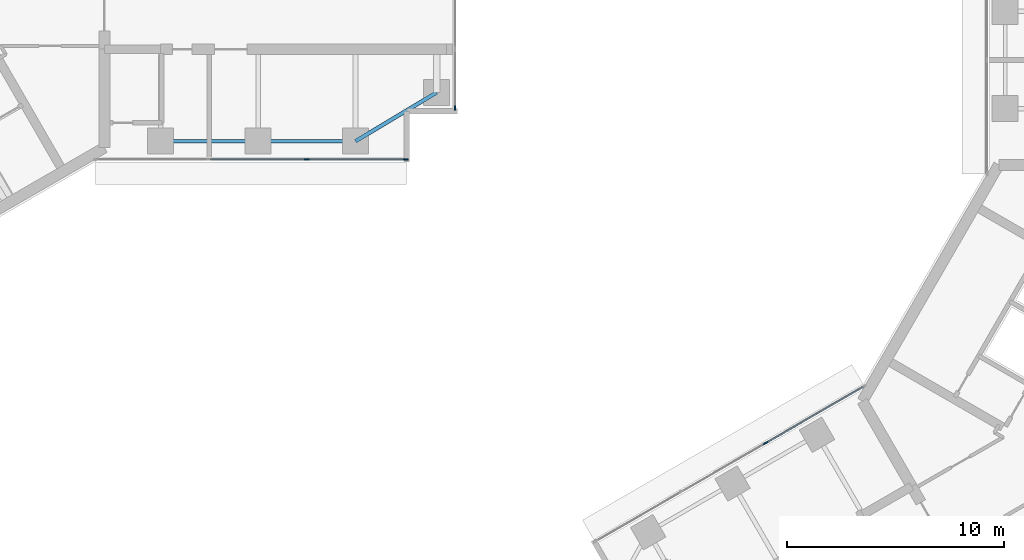
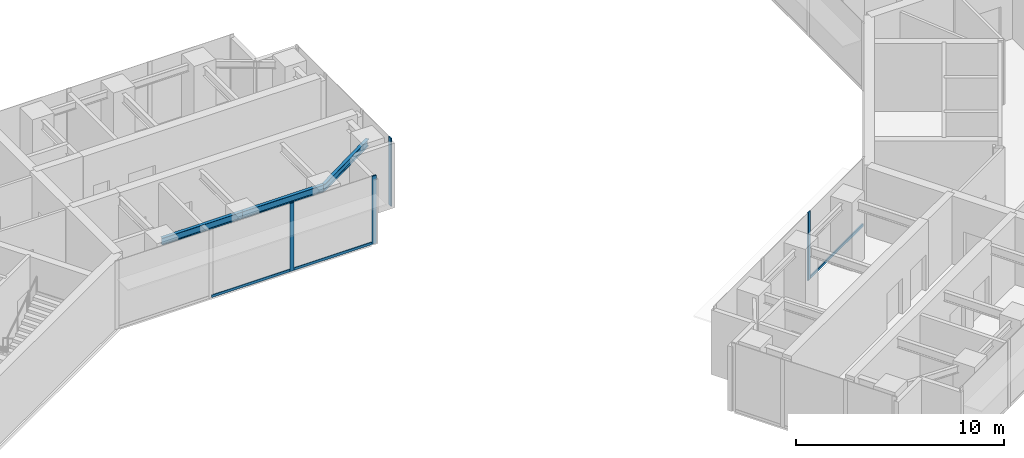
# One storey, part 4 of 17: 7 members, 3 beams, 3 elements without a shape of their own.
"""IFC4 building model written with IfcOpenShell, lengths in metres."""

from ifc_helpers import new_model, si_unit, direction, frame, origin, origin_2d, place, context, subcontext, project, spatial, rectangle, i_section, extrude, material, material_profile, profile_set, type_object, element, aggregate, save


model = new_model("IFC4")

# Units and contexts
model_context = context("Model", 3, precision=1e-05, world=origin(), true_north=direction((0.0, 1.0)))
body_context = subcontext(model_context, "Body", "Model", "MODEL_VIEW")
ifc_project = project(units=[si_unit("LENGTHUNIT", "METRE"), si_unit("AREAUNIT", "SQUARE_METRE"), si_unit("VOLUMEUNIT", "CUBIC_METRE"), si_unit("PLANEANGLEUNIT", "RADIAN"), si_unit("MASSUNIT", "GRAM", prefix="KILO")], contexts=[model_context])

# Site, building, storey
site_placement = place(None, origin())
site = spatial("IfcSite", under=ifc_project, at=site_placement, CompositionType="ELEMENT")
building_placement = place(site_placement, origin())
building = spatial("IfcBuilding", under=site, at=building_placement, Name="Upepo Twin Towers", CompositionType="ELEMENT")
storey_placement = place(building_placement, frame((0.0, 0.0, 182.5)))
storey = spatial("IfcBuildingStorey", under=building, at=storey_placement, Name="L44", CompositionType="ELEMENT", Elevation=182.5)

# Beams
ifc_material_1 = material(Name="Steel S355", Category="steel")
ifc_material_profile_1 = material_profile(ifc_material_1, i_section(OverallWidth=0.177978515625, OverallDepth=0.406494140625, WebThickness=0.0078125, FlangeThickness=0.0126953125, FilletRadius=0.01025390625, at=origin_2d()), Name="UB 406x178x60")
ifc_profile_set_1 = profile_set([ifc_material_profile_1], Name="Steel S355")
beam_type = type_object("IfcBeamType", Name="Beam UB 406x178x60", PredefinedType="BEAM", material=ifc_profile_set_1)
for number, where, z_axis, x_axis, name in (
    (1, (13.5, -6.0, 3.5966796875), (1.0, 0.0, 0.0), (0.0, 1.0, 0.0), "T1 edge beam AR 13.5-18.0"),
    (2, (18.0, -6.0, 3.5966796875), (1.0, 0.0, 0.0), (0.0, 1.0, 0.0), "T1 edge beam AR 18.0-22.5"),
):
    element("IfcBeam", number, at=place(storey_placement, frame(where, z_axis=z_axis, x_axis=x_axis)), inside=storey, type_object=beam_type, Name=name, PredefinedType="BEAM", context=body_context, shape_type="SweptSolid", body=[
        extrude(i_section(OverallWidth=0.177978515625, OverallDepth=0.406494140625, WebThickness=0.0078125, FlangeThickness=0.0126953125, FilletRadius=0.01025390625, at=origin_2d()), origin(), (0.0, 0.0, 1.0), 4.5),
    ])
beam_placement = place(storey_placement, frame((22.5, -6.0, 3.5966796875), z_axis=(0.857492925713, 0.514495755428, 0.0), x_axis=(-0.514495755428, 0.857492925713, 0.0)))
element("IfcBeam", 3, at=beam_placement, inside=storey, type_object=beam_type, Name="T1 nose edge beam AR", PredefinedType="BEAM", context=body_context, shape_type="SweptSolid", body=[
    extrude(i_section(OverallWidth=0.177978515625, OverallDepth=0.406494140625, WebThickness=0.0078125, FlangeThickness=0.0126953125, FilletRadius=0.01025390625, at=origin_2d()), origin(), (0.0, 0.0, 1.0), 4.373291015625),
])

# Curtain wall, members
ifc_material_2 = material(Name="Aluminium and fritted glass", Category="aluminium")
curtain_wall_type = type_object("IfcCurtainWallType", Name="Tower curtain wall TW3, fritted glass", PredefinedType="NOTDEFINED", material=ifc_material_2)
curtain_wall_1_placement = place(storey_placement, origin())
curtain_wall_1 = element("IfcCurtainWall", 4, at=curtain_wall_1_placement, inside=storey, type_object=curtain_wall_type, Name="T1 L44 wing A flank R curtain wall", PredefinedType="NOTDEFINED")
ifc_material_3 = material(Name="Aluminium mullion", Category="aluminium")
ifc_material_profile_2 = material_profile(ifc_material_3, rectangle(XDim=0.06494140625, YDim=0.22509765625, at=origin_2d()), Name="MULLION 65x225")
ifc_profile_set_2 = profile_set([ifc_material_profile_2], Name="Aluminium mullion")
member_type_1 = type_object("IfcMemberType", Name="Mullion 65x225 TW3", PredefinedType="MULLION", material=ifc_profile_set_2)
member_1_placement = place(storey_placement, frame((24.8173828125, -6.85009765625, 0.0), z_axis=(0.0, 0.0, 1.0), x_axis=(0.0, -1.0, 0.0)))
member_1 = element("IfcMember", 5, at=member_1_placement, type_object=member_type_1, Name="T1 L44 wing A flank R curtain wall mullion 1", PredefinedType="MULLION", context=body_context, shape_type="SweptSolid", body=[
    extrude(rectangle(XDim=0.06494140625, YDim=0.22509765625, at=origin_2d()), origin(), (0.0, 0.0, 1.0), 4.0),
])
member_2_placement = place(storey_placement, frame((20.25, -6.85009765625, 0.0), z_axis=(0.0, 0.0, 1.0), x_axis=(0.0, -1.0, 0.0)))
member_2 = element("IfcMember", 6, at=member_2_placement, type_object=member_type_1, Name="T1 L44 wing A flank R curtain wall mullion 2", PredefinedType="MULLION", context=body_context, shape_type="SweptSolid", body=[
    extrude(rectangle(XDim=0.06494140625, YDim=0.22509765625, at=origin_2d()), origin(), (0.0, 0.0, 1.0), 4.0),
])

# Curtain wall, member
curtain_wall_2_placement = place(storey_placement, origin())
curtain_wall_2 = element("IfcCurtainWall", 7, at=curtain_wall_2_placement, inside=storey, type_object=curtain_wall_type, Name="T1 L44 wing A nose curtain wall", PredefinedType="NOTDEFINED")
member_3_placement = place(storey_placement, frame((27.10009765625, -4.467529296875, 0.0), z_axis=(0.0, 0.0, 1.0), x_axis=(-1.0, 0.0, 0.0)))
member_3 = element("IfcMember", 8, at=member_3_placement, type_object=member_type_1, Name="T1 L44 wing A nose curtain wall mullion 1", PredefinedType="MULLION", context=body_context, shape_type="SweptSolid", body=[
    extrude(rectangle(XDim=0.06494140625, YDim=0.22509765625, at=origin_2d()), origin(), (0.0, 0.0, 1.0), 4.0),
])
aggregate(curtain_wall_2, [member_3])

curtain_wall_3_placement = place(storey_placement, origin())
curtain_wall_3 = element("IfcCurtainWall", 9, at=curtain_wall_3_placement, inside=storey, type_object=curtain_wall_type, Name="T2 L44 wing B flank R curtain wall", PredefinedType="NOTDEFINED")
member_4_placement = place(storey_placement, frame((41.43505859375, -19.942626953125, 0.0), z_axis=(0.0, 0.0, 1.0), x_axis=(-0.500000026527, 0.866025388469, 0.0)))
member_4 = element("IfcMember", 10, at=member_4_placement, type_object=member_type_1, Name="T2 L44 wing B flank R curtain wall mullion 3", PredefinedType="MULLION", context=body_context, shape_type="SweptSolid", body=[
    extrude(rectangle(XDim=0.06494140625, YDim=0.22509765625, at=origin_2d()), origin(), (0.0, 0.0, 1.0), 4.0),
])

# Member
ifc_material_4 = material(Name="Aluminium transom", Category="aluminium")
ifc_material_profile_3 = material_profile(ifc_material_4, rectangle(XDim=0.06494140625, YDim=0.14990234375, at=origin_2d()), Name="TRANSOM 65x150")
ifc_profile_set_3 = profile_set([ifc_material_profile_3], Name="Aluminium transom")
member_type_2 = type_object("IfcMemberType", Name="Transom 65x150 TW3", PredefinedType="USERDEFINED", material=ifc_profile_set_3)
member_5_placement = place(storey_placement, frame((24.784912109375, -6.85009765625, 0.074951171875), z_axis=(-1.0, 0.0, 0.0), x_axis=(0.0, -1.0, 0.0)))
member_5 = element("IfcMember", 11, at=member_5_placement, type_object=member_type_2, Name="T1 L44 wing A flank R curtain wall transom 1", ObjectType="TRANSOM", PredefinedType="USERDEFINED", context=body_context, shape_type="SweptSolid", body=[
    extrude(rectangle(XDim=0.06494140625, YDim=0.14990234375, at=origin_2d()), origin(), (0.0, 0.0, 1.0), 4.50244140625),
])

member_6_placement = place(storey_placement, frame((20.217529296875, -6.85009765625, 0.074951171875), z_axis=(-1.0, 0.0, 0.0), x_axis=(0.0, -1.0, 0.0)))
member_6 = element("IfcMember", 12, at=member_6_placement, type_object=member_type_2, Name="T1 L44 wing A flank R curtain wall transom 2", ObjectType="TRANSOM", PredefinedType="USERDEFINED", context=body_context, shape_type="SweptSolid", body=[
    extrude(rectangle(XDim=0.06494140625, YDim=0.14990234375, at=origin_2d()), origin(), (0.0, 0.0, 1.0), 4.43505859375),
])

aggregate(curtain_wall_1, [member_1, member_2, member_5, member_6])

member_7_placement = place(storey_placement, frame((41.463134765625, -19.926513671875, 0.074951171875), z_axis=(0.86602108507, 0.500007480159, 0.0), x_axis=(-0.500007480159, 0.86602108507, 0.0)))
member_7 = element("IfcMember", 13, at=member_7_placement, type_object=member_type_2, Name="T2 L44 wing B flank R curtain wall transom 3", ObjectType="TRANSOM", PredefinedType="USERDEFINED", context=body_context, shape_type="SweptSolid", body=[
    extrude(rectangle(XDim=0.06494140625, YDim=0.14990234375, at=origin_2d()), origin(), (0.0, 0.0, 1.0), 5.16552734375),
])

aggregate(curtain_wall_3, [member_4, member_7])

save(model, "model.ifc")
